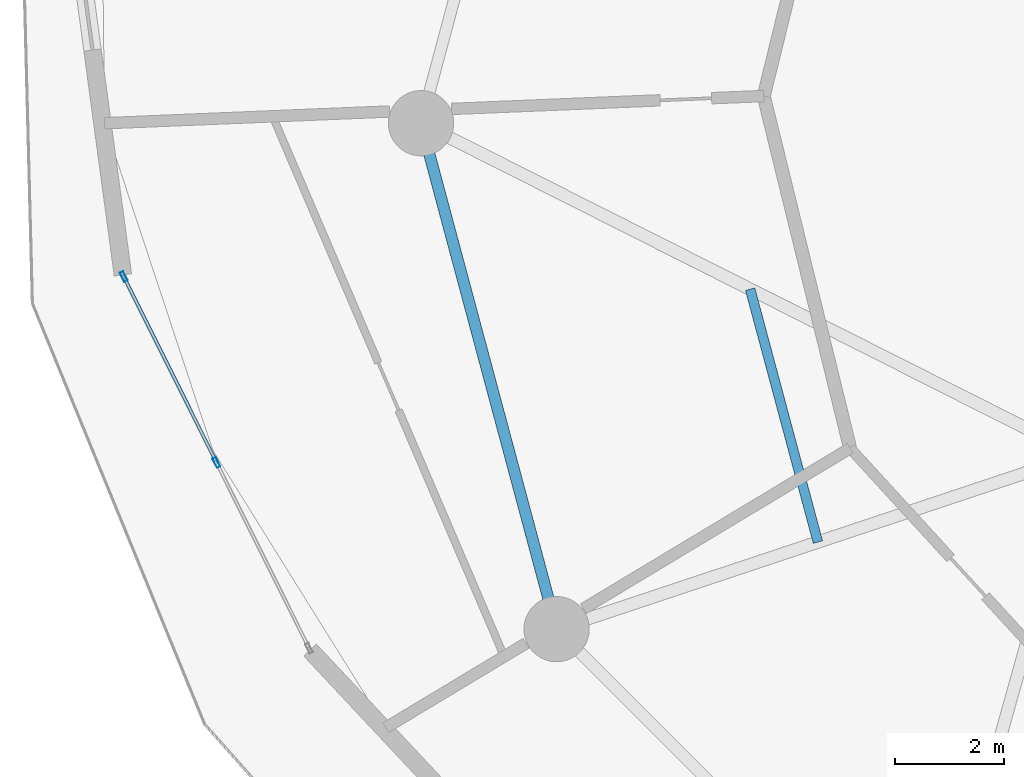
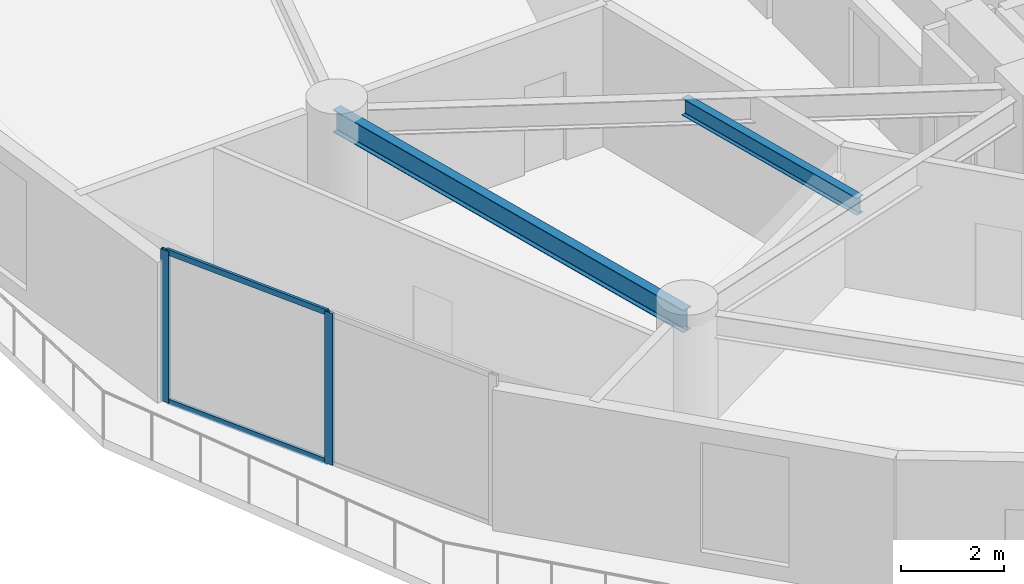
# One storey, part 4 of 24: 4 members, 2 beams, 1 element without a shape of its own.
"""IFC4 building model written with IfcOpenShell, lengths in metres."""

from ifc_helpers import new_model, si_unit, direction, frame, origin, origin_2d, place, context, subcontext, project, spatial, hollow_rectangle, i_section, extrude, source, transform, mapped, material, layer, layer_set, material_profile, profile_set, type_object, element, aggregate, save


model = new_model("IFC4")

# Units and contexts
model_context = context("Model", 3, precision=1e-05, world=origin(), true_north=direction((0.0, 1.0)))
body_context = subcontext(model_context, "Body", "Model", "MODEL_VIEW")
ifc_project = project(units=[si_unit("LENGTHUNIT", "METRE"), si_unit("AREAUNIT", "SQUARE_METRE"), si_unit("VOLUMEUNIT", "CUBIC_METRE"), si_unit("PLANEANGLEUNIT", "RADIAN"), si_unit("MASSUNIT", "GRAM", prefix="KILO")], contexts=[model_context])

# Site, building, storey
site_placement = place(None, origin())
site = spatial("IfcSite", under=ifc_project, at=site_placement, CompositionType="ELEMENT")
building_placement = place(site_placement, origin())
building = spatial("IfcBuilding", under=site, at=building_placement, Name="Solvirekh Grand Hotel", CompositionType="ELEMENT")
storey_placement = place(building_placement, frame((0.0, 0.0, 86.0)))
storey = spatial("IfcBuildingStorey", under=building, at=storey_placement, Name="L21", CompositionType="ELEMENT", Elevation=86.0)

# Beams
ifc_material_1 = material(Name="Steel S355", Category="steel")
ifc_material_profile_1 = material_profile(ifc_material_1, i_section(OverallWidth=0.177978515625, OverallDepth=0.406982421875, WebThickness=0.008056640625, FlangeThickness=0.011962890625, FilletRadius=0.011962890625, at=origin_2d()), Name="W410X60")
ifc_profile_set_1 = profile_set([ifc_material_profile_1], Name="Steel S355")
beam_type_1 = type_object("IfcBeamType", Name="Joist_Floor_W410", PredefinedType="JOIST", material=ifc_profile_set_1)
beam_1_placement = place(storey_placement, frame((-12.550048828125, -3.050048828125, 3.135986328125), z_axis=(0.258849313227, -0.965917715461, 0.0), x_axis=(0.965917715461, 0.258849313227, 0.0)))
element("IfcBeam", 1, at=beam_1_placement, inside=storey, type_object=beam_type_1, Name="L21 secondary composite floor joist 7", PredefinedType="JOIST", context=body_context, shape_type="SweptSolid", body=[
    extrude(i_section(OverallWidth=0.177978515625, OverallDepth=0.406982421875, WebThickness=0.008056640625, FlangeThickness=0.011962890625, FilletRadius=0.011962890625, at=origin_2d()), origin(), (0.0, 0.0, 1.0), 4.81396484375),
])
ifc_material_profile_2 = material_profile(ifc_material_1, i_section(OverallWidth=0.208984375, OverallDepth=0.532958984375, WebThickness=0.010009765625, FlangeThickness=0.014892578125, FilletRadius=0.013916015625, at=origin_2d()), Name="W530X92")
ifc_profile_set_2 = profile_set([ifc_material_profile_2], Name="Steel S355")
beam_type_2 = type_object("IfcBeamType", Name="Spandrel_Ring_W530", PredefinedType="SPANDREL", material=ifc_profile_set_2)
beam_2_placement = place(storey_placement, frame((-18.60009765625, 0.0, 3.073974609375), z_axis=(0.258842973314, -0.965919414426, 0.0), x_axis=(0.965919414426, 0.258842973314, 0.0)))
element("IfcBeam", 2, at=beam_2_placement, inside=storey, type_object=beam_type_2, Name="L21 perimeter spandrel beam 7", PredefinedType="SPANDREL", context=body_context, shape_type="SweptSolid", body=[
    extrude(i_section(OverallWidth=0.208984375, OverallDepth=0.532958984375, WebThickness=0.010009765625, FlangeThickness=0.014892578125, FilletRadius=0.013916015625, at=origin_2d()), origin(), (0.0, 0.0, 1.0), 9.628173828125),
])

# Curtain wall, members
ifc_material_2 = material(Name="Anodized Bronze Aluminium 6063-T6", Category="aluminium")
ifc_layer = layer(ifc_material_2, 0.18994140625)
ifc_layer_set = layer_set([ifc_layer], Name="Anodized Bronze Aluminium 6063-T6")
curtain_wall_type = type_object("IfcCurtainWallType", Name="CW_Sys2_LowZoneFlushBronzeCW", PredefinedType="NOTDEFINED", material=ifc_layer_set)
curtain_wall_placement = place(storey_placement, origin())
curtain_wall = element("IfcCurtainWall", 3, at=curtain_wall_placement, inside=storey, type_object=curtain_wall_type, Name="L21 unitised bronze-glass curtain wall CW-L21-C13", PredefinedType="NOTDEFINED")
ifc_material_profile_3 = material_profile(ifc_material_2, hollow_rectangle(XDim=0.070068359375, YDim=0.18994140625, WallThickness=0.0048828125, at=origin_2d()), Name="ALU RHS 190X70X5")
ifc_profile_set_3 = profile_set([ifc_material_profile_3], Name="Anodized Bronze Aluminium 6063-T6")
member_type_1 = type_object("IfcMemberType", Name="CWMullion_Sys2", PredefinedType="MULLION", material=ifc_profile_set_3)
shared_shape_1 = source(origin(), body_context, "Body", "SweptSolid", [
    extrude(hollow_rectangle(XDim=0.070068359375, YDim=0.18994140625, WallThickness=0.0048828125, at=origin_2d()), origin(), (0.0, 0.0, 1.0), 3.60009765625),
])
member_1_placement = place(storey_placement, frame((-24.0654296875, -2.8193359375, 0.0), z_axis=(0.0, 0.0, 1.0), x_axis=(0.89486802482, 0.44633083935, 0.0)))
member_1 = element("IfcMember", 4, at=member_1_placement, type_object=member_type_1, Name="U02 mullion 1", PredefinedType="MULLION", context=body_context, shape_type="MappedRepresentation", body=[
    mapped(shared_shape_1, transform((0.0, 0.0, 0.0), x_axis=(1.0, 0.0, 0.0), y_axis=(0.0, 1.0, 0.0), z_axis=(0.0, 0.0, 1.0), scale=1.0)),
])
member_2_placement = place(storey_placement, frame((-22.361572265625, -6.235595703125, 0.0), z_axis=(0.0, 0.0, 1.0), x_axis=(0.89486802482, 0.44633083935, 0.0)))
member_2 = element("IfcMember", 5, at=member_2_placement, type_object=member_type_1, Name="U02 mullion 2", PredefinedType="MULLION", context=body_context, shape_type="MappedRepresentation", body=[
    mapped(shared_shape_1, transform((0.0, 0.0, 0.0), x_axis=(1.0, 0.0, 0.0), y_axis=(0.0, 1.0, 0.0), z_axis=(0.0, 0.0, 1.0), scale=1.0)),
])
ifc_material_profile_4 = material_profile(ifc_material_2, hollow_rectangle(XDim=0.06005859375, YDim=0.135009765625, WallThickness=0.00390625, at=origin_2d()), Name="ALU RHS 135X60X4")
ifc_profile_set_4 = profile_set([ifc_material_profile_4], Name="Anodized Bronze Aluminium 6063-T6")
member_type_2 = type_object("IfcMemberType", Name="CWTransom_Sys2", PredefinedType="USERDEFINED", material=ifc_profile_set_4)
shared_shape_2 = source(origin(), body_context, "Body", "SweptSolid", [
    extrude(hollow_rectangle(XDim=0.06005859375, YDim=0.135009765625, WallThickness=0.00390625, at=origin_2d()), origin(), (0.0, 0.0, 1.0), 3.74755859375),
])
member_3_placement = place(storey_placement, frame((-24.0498046875, -2.8505859375, 0.030029296875), z_axis=(0.446327366422, -0.894869756994, 0.0), x_axis=(0.894869756994, 0.446327366422, 0.0)))
member_3 = element("IfcMember", 6, at=member_3_placement, type_object=member_type_2, Name="U02 transom 1.1", ObjectType="TRANSOM", PredefinedType="USERDEFINED", context=body_context, shape_type="MappedRepresentation", body=[
    mapped(shared_shape_2, transform((0.0, 0.0, 0.0), x_axis=(1.0, 0.0, 0.0), y_axis=(0.0, 1.0, 0.0), z_axis=(0.0, 0.0, 1.0), scale=1.0)),
])
member_4_placement = place(storey_placement, frame((-24.0498046875, -2.8505859375, 3.570068359375), z_axis=(0.446327366422, -0.894869756994, 0.0), x_axis=(0.894869756994, 0.446327366422, 0.0)))
member_4 = element("IfcMember", 7, at=member_4_placement, type_object=member_type_2, Name="U02 transom 1.2", ObjectType="TRANSOM", PredefinedType="USERDEFINED", context=body_context, shape_type="MappedRepresentation", body=[
    mapped(shared_shape_2, transform((0.0, 0.0, 0.0), x_axis=(1.0, 0.0, 0.0), y_axis=(0.0, 1.0, 0.0), z_axis=(0.0, 0.0, 1.0), scale=1.0)),
])
aggregate(curtain_wall, [member_1, member_2, member_3, member_4])

save(model, "model.ifc")
